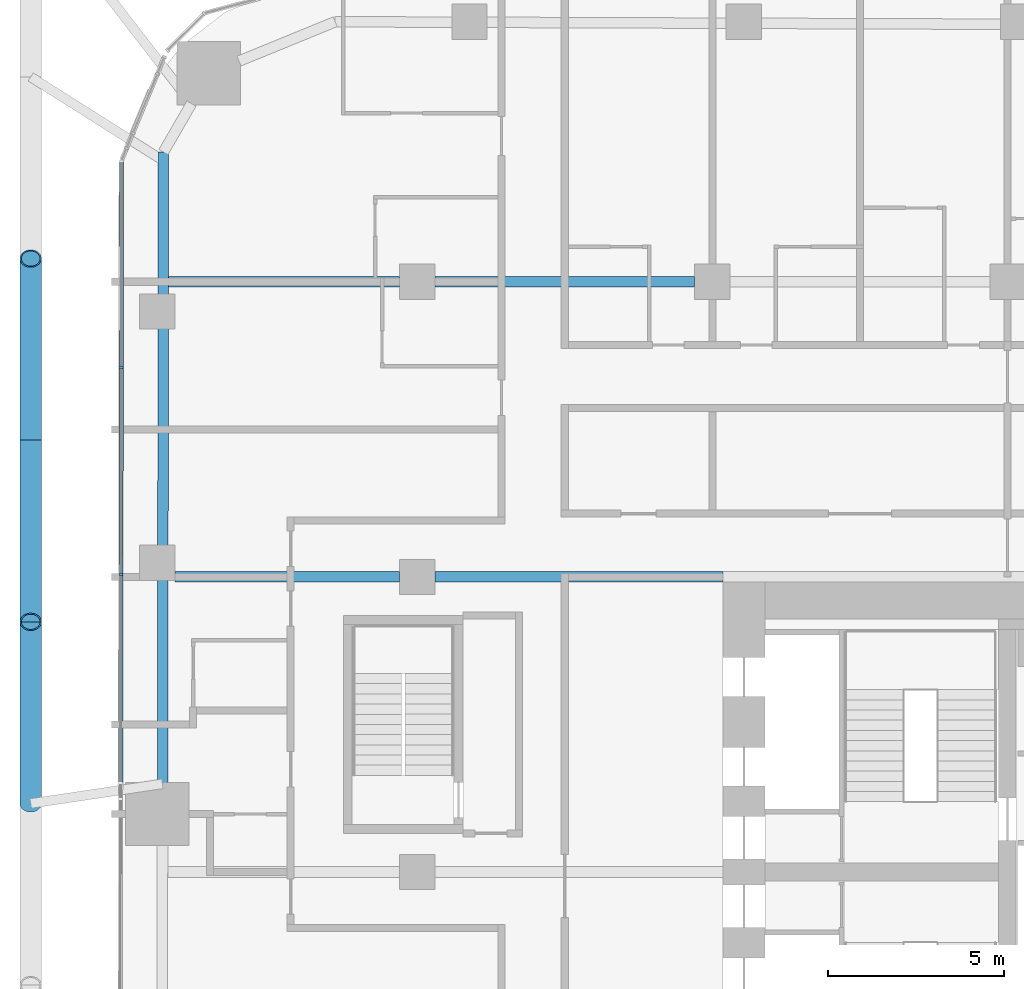
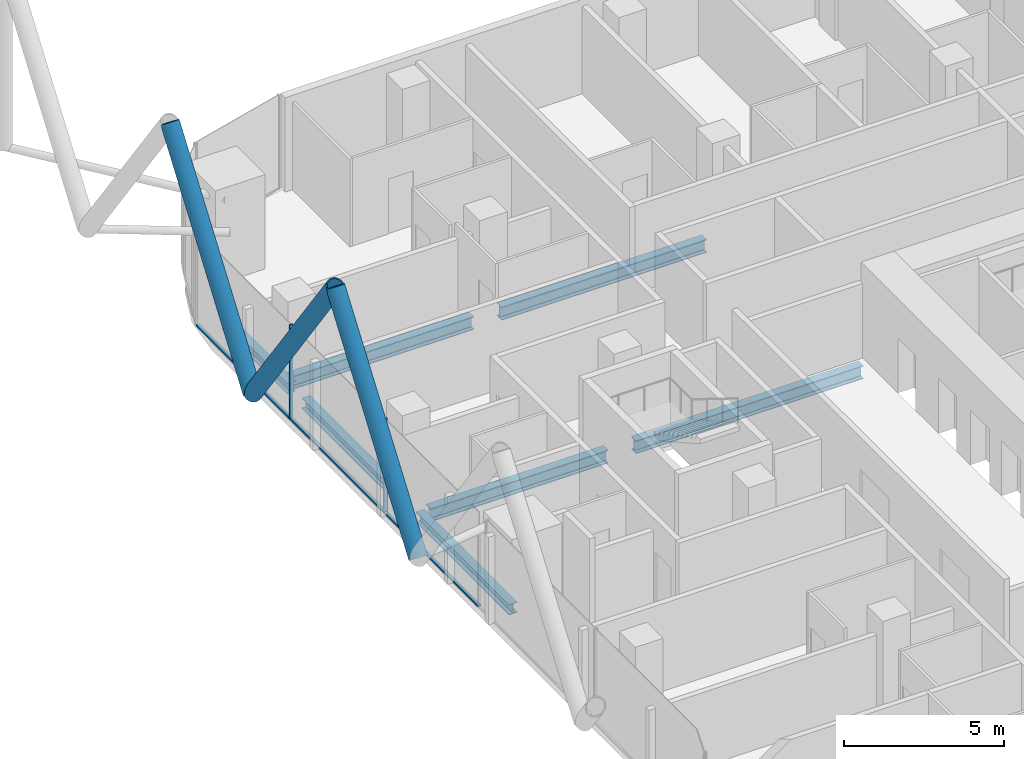
# One storey, part 9 of 38: 8 members, 7 beams, 1 element without a shape of its own.
"""IFC4 building model written with IfcOpenShell, lengths in metres."""

from ifc_helpers import new_model, si_unit, direction, frame, origin, origin_2d, place, context, subcontext, project, spatial, rectangle, hollow_circle, i_section, extrude, material, layer, layer_set, material_profile, profile_set, type_object, element, aggregate, save


model = new_model("IFC4")

# Units and contexts
model_context = context("Model", 3, precision=1e-05, world=origin(), true_north=direction((0.0, 1.0)))
body_context = subcontext(model_context, "Body", "Model", "MODEL_VIEW")
ifc_project = project(units=[si_unit("LENGTHUNIT", "METRE"), si_unit("AREAUNIT", "SQUARE_METRE"), si_unit("VOLUMEUNIT", "CUBIC_METRE"), si_unit("PLANEANGLEUNIT", "RADIAN"), si_unit("MASSUNIT", "GRAM", prefix="KILO")], contexts=[model_context])

# Site, building, storey
site_placement = place(None, origin())
site = spatial("IfcSite", under=ifc_project, at=site_placement, CompositionType="ELEMENT")
building_placement = place(site_placement, origin())
building = spatial("IfcBuilding", under=site, at=building_placement, Name="Marenta Gate Hotel Tower", CompositionType="ELEMENT")
storey_placement = place(building_placement, frame((0.0, 0.0, 40.10009765625)))
storey = spatial("IfcBuildingStorey", under=building, at=storey_placement, Name="L07", CompositionType="ELEMENT", Elevation=40.10009765625)

# Members
ifc_material_1 = material(Name="Steel S355J2W", Category="steel")
ifc_material_profile_1 = material_profile(ifc_material_1, hollow_circle(Radius=0.304931640625, WallThickness=0.0400390625, at=origin_2d()), Name="CHS 610x40")
ifc_profile_set_1 = profile_set([ifc_material_profile_1], Name="Steel S355J2W")
member_type_1 = type_object("IfcMemberType", Name="Diagrid diagonal Z1 CHS 610x40", PredefinedType="BRACE", material=ifc_profile_set_1)
member_1_placement = place(storey_placement, frame((-32.0, 10.349853515625, 3.139892578125), z_axis=(0.0, 0.583279014058, 0.812271870595), x_axis=(-1.0, 0.0, 0.0)))
element("IfcMember", 1, at=member_1_placement, inside=storey, type_object=member_type_1, Name="L07-DG-30", PredefinedType="BRACE", context=body_context, shape_type="SweptSolid", body=[
    extrude(hollow_circle(Radius=0.304931640625, WallThickness=0.0400390625, at=origin_2d()), origin(), (0.0, 0.0, 1.0), 8.864013671875),
])
member_2_placement = place(storey_placement, frame((-32.0, 20.68994140625, 3.139892578125), z_axis=(0.0, -0.583260841117, 0.812284919975), x_axis=(1.0, 0.0, 0.0)))
element("IfcMember", 2, at=member_2_placement, inside=storey, type_object=member_type_1, Name="L07-DG-31", PredefinedType="BRACE", context=body_context, shape_type="SweptSolid", body=[
    extrude(hollow_circle(Radius=0.304931640625, WallThickness=0.0400390625, at=origin_2d()), origin(), (0.0, 0.0, 1.0), 8.86376953125),
])
member_3_placement = place(storey_placement, frame((-32.0, 20.68994140625, 3.139892578125), z_axis=(0.0, 0.583279014058, 0.812271870595), x_axis=(-1.0, 0.0, 0.0)))
element("IfcMember", 3, at=member_3_placement, inside=storey, type_object=member_type_1, Name="L07-DG-32", PredefinedType="BRACE", context=body_context, shape_type="SweptSolid", body=[
    extrude(hollow_circle(Radius=0.304931640625, WallThickness=0.0400390625, at=origin_2d()), origin(), (0.0, 0.0, 1.0), 8.864013671875),
])

# Beams
ifc_material_2 = material(Name="Steel S355", Category="steel")
ifc_material_profile_2 = material_profile(ifc_material_2, i_section(OverallWidth=0.300048828125, OverallDepth=0.39990234375, WebThickness=0.013427734375, FlangeThickness=0.02392578125, FilletRadius=0.027099609375, at=origin_2d()), Name="HEB 400")
ifc_profile_set_2 = profile_set([ifc_material_profile_2], Name="Steel S355")
beam_type_1 = type_object("IfcBeamType", Name="Edge beam HEB 400", PredefinedType="SPANDREL", material=ifc_profile_set_2)
beam_1_placement = place(storey_placement, frame((-28.246337890625, 10.909912109375, -0.460205078125), z_axis=(0.001423009483, 0.999998987521, 0.0), x_axis=(-0.999998987521, 0.001423009483, 0.0)))
element("IfcBeam", 4, at=beam_1_placement, inside=storey, type_object=beam_type_1, Name="L07-EB-8", PredefinedType="SPANDREL", context=body_context, shape_type="SweptSolid", body=[
    extrude(i_section(OverallWidth=0.300048828125, OverallDepth=0.39990234375, WebThickness=0.013427734375, FlangeThickness=0.02392578125, FilletRadius=0.027099609375, at=origin_2d()), origin(), (0.0, 0.0, 1.0), 5.833251953125),
])
beam_2_placement = place(storey_placement, frame((-28.23681640625, 17.6630859375, -0.460205078125), z_axis=(0.001370827476, 0.999999060416, 0.0), x_axis=(-0.999999060416, 0.001370827476, 0.0)))
element("IfcBeam", 5, at=beam_2_placement, inside=storey, type_object=beam_type_1, Name="L07-EB-9", PredefinedType="SPANDREL", context=body_context, shape_type="SweptSolid", body=[
    extrude(i_section(OverallWidth=0.300048828125, OverallDepth=0.39990234375, WebThickness=0.013427734375, FlangeThickness=0.02392578125, FilletRadius=0.027099609375, at=origin_2d()), origin(), (0.0, 0.0, 1.0), 6.2333984375),
])
beam_3_placement = place(storey_placement, frame((-28.22705078125, 24.81640625, -0.460205078125), z_axis=(0.001377821732, 0.999999050803, 0.0), x_axis=(-0.999999050803, 0.001377821732, 0.0)))
element("IfcBeam", 6, at=beam_3_placement, inside=storey, type_object=beam_type_1, Name="L07-EB-10", PredefinedType="SPANDREL", context=body_context, shape_type="SweptSolid", body=[
    extrude(i_section(OverallWidth=0.300048828125, OverallDepth=0.39990234375, WebThickness=0.013427734375, FlangeThickness=0.02392578125, FilletRadius=0.027099609375, at=origin_2d()), origin(), (0.0, 0.0, 1.0), 4.075439453125),
])
ifc_material_3 = material(Name="Steel S355", Category="steel")
ifc_material_profile_3 = material_profile(ifc_material_3, i_section(OverallWidth=0.300048828125, OverallDepth=0.5, WebThickness=0.014404296875, FlangeThickness=0.028076171875, FilletRadius=0.027099609375, at=origin_2d()), Name="HEB 500")
ifc_profile_set_3 = profile_set([ifc_material_profile_3], Name="Steel S355")
beam_type_2 = type_object("IfcBeamType", Name="Girder HEB 500", PredefinedType="BEAM", material=ifc_profile_set_3)
beam_4_placement = place(storey_placement, frame((-27.89990234375, 16.800048828125, -0.510009765625), z_axis=(1.0, 0.0, 0.0), x_axis=(0.0, 1.0, 0.0)))
element("IfcBeam", 7, at=beam_4_placement, inside=storey, type_object=beam_type_2, Name="L07-GD-17", PredefinedType="BEAM", context=body_context, shape_type="SweptSolid", body=[
    extrude(i_section(OverallWidth=0.300048828125, OverallDepth=0.5, WebThickness=0.014404296875, FlangeThickness=0.028076171875, FilletRadius=0.027099609375, at=origin_2d()), origin(), (0.0, 0.0, 1.0), 6.39990234375),
])
beam_5_placement = place(storey_placement, frame((-20.5, 16.800048828125, -0.510009765625), z_axis=(1.0, 0.0, 0.0), x_axis=(0.0, 1.0, 0.0)))
element("IfcBeam", 8, at=beam_5_placement, inside=storey, type_object=beam_type_2, Name="L07-GD-18", PredefinedType="BEAM", context=body_context, shape_type="SweptSolid", body=[
    extrude(i_section(OverallWidth=0.300048828125, OverallDepth=0.5, WebThickness=0.014404296875, FlangeThickness=0.028076171875, FilletRadius=0.027099609375, at=origin_2d()), origin(), (0.0, 0.0, 1.0), 8.199951171875),
])
beam_6_placement = place(storey_placement, frame((-28.076416015625, 25.199951171875, -0.510009765625), z_axis=(1.0, 0.0, 0.0), x_axis=(0.0, 1.0, 0.0)))
element("IfcBeam", 9, at=beam_6_placement, inside=storey, type_object=beam_type_2, Name="L07-GD-22", PredefinedType="BEAM", context=body_context, shape_type="SweptSolid", body=[
    extrude(i_section(OverallWidth=0.300048828125, OverallDepth=0.5, WebThickness=0.014404296875, FlangeThickness=0.028076171875, FilletRadius=0.027099609375, at=origin_2d()), origin(), (0.0, 0.0, 1.0), 6.576416015625),
])
beam_7_placement = place(storey_placement, frame((-20.5, 25.199951171875, -0.510009765625), z_axis=(1.0, 0.0, 0.0), x_axis=(0.0, 1.0, 0.0)))
element("IfcBeam", 10, at=beam_7_placement, inside=storey, type_object=beam_type_2, Name="L07-GD-23", PredefinedType="BEAM", context=body_context, shape_type="SweptSolid", body=[
    extrude(i_section(OverallWidth=0.300048828125, OverallDepth=0.5, WebThickness=0.014404296875, FlangeThickness=0.028076171875, FilletRadius=0.027099609375, at=origin_2d()), origin(), (0.0, 0.0, 1.0), 7.39990234375),
])

# Curtain wall, members
ifc_material_4 = material(Name="Tinted insulated glass in bronze anodised frame", Category="glass")
ifc_layer = layer(ifc_material_4, 0.1201171875)
ifc_layer_set = layer_set([ifc_layer], Name="Tinted insulated glass in bronze anodised frame")
curtain_wall_type = type_object("IfcCurtainWallType", Name="Tower unitised curtain wall CW1", PredefinedType="NOTDEFINED", material=ifc_layer_set)
curtain_wall_placement = place(storey_placement, origin())
curtain_wall = element("IfcCurtainWall", 11, at=curtain_wall_placement, inside=storey, type_object=curtain_wall_type, Name="CW1 run G06", PredefinedType="NOTDEFINED")
ifc_material_5 = material(Name="Bronze anodised aluminium", Category="aluminium")
ifc_material_profile_4 = material_profile(ifc_material_5, rectangle(XDim=0.1201171875, YDim=0.06005859375, at=origin_2d()), Name="Mullion CW1 60x120 bronze anodised aluminium")
ifc_profile_set_4 = profile_set([ifc_material_profile_4], Name="Bronze anodised aluminium")
member_type_2 = type_object("IfcMemberType", Name="Mullion CW1 60x120 bronze anodised aluminium", PredefinedType="MULLION", material=ifc_profile_set_4)
member_4_placement = place(storey_placement, frame((-29.421630859375, 22.764404296875, 0.0), z_axis=(0.0, 0.0, 1.0), x_axis=(0.999998767315, -0.001570149369, 0.0)))
member_4 = element("IfcMember", 12, at=member_4_placement, type_object=member_type_2, Name="CW1 mullion 2", PredefinedType="MULLION", context=body_context, shape_type="SweptSolid", body=[
    extrude(rectangle(XDim=0.1201171875, YDim=0.06005859375, at=origin_2d()), origin(), (0.0, 0.0, 1.0), 3.599853515625),
])
member_5_placement = place(storey_placement, frame((-29.430908203125, 16.862548828125, 0.0), z_axis=(0.0, 0.0, 1.0), x_axis=(0.999998767315, -0.001570149369, 0.0)))
member_5 = element("IfcMember", 13, at=member_5_placement, type_object=member_type_2, Name="CW1 mullion 3", PredefinedType="MULLION", context=body_context, shape_type="SweptSolid", body=[
    extrude(rectangle(XDim=0.1201171875, YDim=0.06005859375, at=origin_2d()), origin(), (0.0, 0.0, 1.0), 3.599853515625),
])
ifc_material_6 = material(Name="Bronze anodised aluminium", Category="aluminium")
ifc_material_profile_5 = material_profile(ifc_material_6, rectangle(XDim=0.1201171875, YDim=0.06005859375, at=origin_2d()), Name="Transom CW1 60x120 bronze anodised aluminium")
ifc_profile_set_5 = profile_set([ifc_material_profile_5], Name="Bronze anodised aluminium")
member_type_3 = type_object("IfcMemberType", Name="Transom CW1 60x120 bronze anodised aluminium", PredefinedType="USERDEFINED", material=ifc_profile_set_5)
member_6_placement = place(storey_placement, frame((-29.412353515625, 28.606201171875, 0.02978515625), z_axis=(-0.001596301264, -0.99999872591, 0.0), x_axis=(0.99999872591, -0.001596301264, 0.0)))
member_6 = element("IfcMember", 14, at=member_6_placement, type_object=member_type_3, Name="CW1 transom 1.1", ObjectType="TRANSOM", PredefinedType="USERDEFINED", context=body_context, shape_type="SweptSolid", body=[
    extrude(rectangle(XDim=0.1201171875, YDim=0.06005859375, at=origin_2d()), origin(), (0.0, 0.0, 1.0), 5.811767578125),
])
member_7_placement = place(storey_placement, frame((-29.421630859375, 22.734375, 0.02978515625), z_axis=(-0.001588095624, -0.999998738975, 0.0), x_axis=(0.999998738975, -0.001588095624, 0.0)))
member_7 = element("IfcMember", 15, at=member_7_placement, type_object=member_type_3, Name="CW1 transom 2.1", ObjectType="TRANSOM", PredefinedType="USERDEFINED", context=body_context, shape_type="SweptSolid", body=[
    extrude(rectangle(XDim=0.1201171875, YDim=0.06005859375, at=origin_2d()), origin(), (0.0, 0.0, 1.0), 5.841796875),
])
member_8_placement = place(storey_placement, frame((-29.430908203125, 16.832763671875, 0.02978515625), z_axis=(-0.001579973913, -0.99999875184, 0.0), x_axis=(0.99999875184, -0.001579973913, 0.0)))
member_8 = element("IfcMember", 16, at=member_8_placement, type_object=member_type_3, Name="CW1 transom 3.1", ObjectType="TRANSOM", PredefinedType="USERDEFINED", context=body_context, shape_type="SweptSolid", body=[
    extrude(rectangle(XDim=0.1201171875, YDim=0.06005859375, at=origin_2d()), origin(), (0.0, 0.0, 1.0), 5.871826171875),
])
aggregate(curtain_wall, [member_4, member_5, member_6, member_7, member_8])

save(model, "model.ifc")
